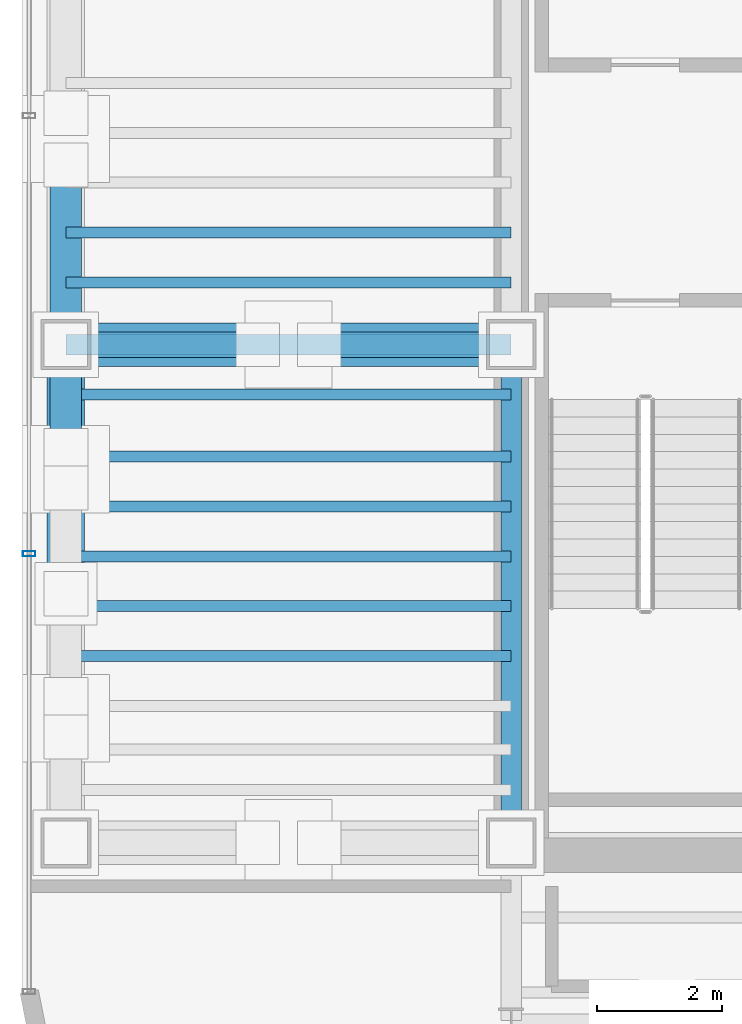
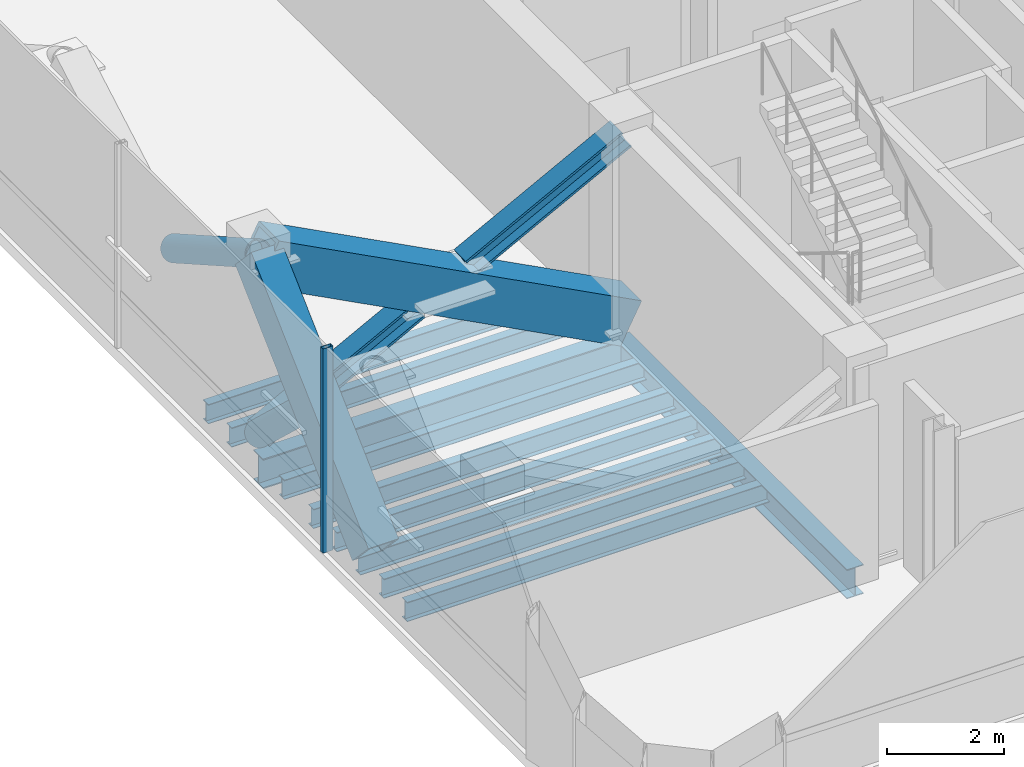
# One storey, part 4 of 19: 10 beams, 7 members, 1 element without a shape of its own.
"""IFC4 building model written with IfcOpenShell, lengths in metres."""

from ifc_helpers import new_model, si_unit, direction, frame, origin, origin_2d, place, context, subcontext, project, spatial, hollow_rectangle, hollow_circle, i_section, extrude, source, transform, mapped, material, material_profile, profile_set, type_object, element, aggregate, save


model = new_model("IFC4")

# Units and contexts
model_context = context("Model", 3, precision=1e-05, world=origin(), true_north=direction((0.0, 1.0)))
body_context = subcontext(model_context, "Body", "Model", "MODEL_VIEW")
ifc_project = project(units=[si_unit("LENGTHUNIT", "METRE"), si_unit("AREAUNIT", "SQUARE_METRE"), si_unit("VOLUMEUNIT", "CUBIC_METRE"), si_unit("PLANEANGLEUNIT", "RADIAN"), si_unit("MASSUNIT", "GRAM", prefix="KILO")], contexts=[model_context])

# Site, building, storey
site_placement = place(None, origin())
site = spatial("IfcSite", under=ifc_project, at=site_placement, CompositionType="ELEMENT")
building_placement = place(site_placement, origin())
building = spatial("IfcBuilding", under=site, at=building_placement, Name="Valdorenza Pilgrim Sanctuary Tower", CompositionType="ELEMENT")
storey_placement = place(building_placement, frame((0.0, 0.0, 261.5)))
storey = spatial("IfcBuildingStorey", under=building, at=storey_placement, Name="L68", CompositionType="ELEMENT", Elevation=261.5)

# Beams
ifc_material_1 = material(Name="Steel ASTM A992 Grade 50", Category="steel")
ifc_material_profile_1 = material_profile(ifc_material_1, i_section(OverallWidth=0.323974609375, OverallDepth=0.611083984375, WebThickness=0.0126953125, FlangeThickness=0.01904296875, at=origin_2d()), Name="W24X104")
ifc_profile_set_1 = profile_set([ifc_material_profile_1], Name="Steel ASTM A992 Grade 50")
beam_type_1 = type_object("IfcBeamType", Name="STR-BM-GRD-W24B", PredefinedType="BEAM", material=ifc_profile_set_1)
shared_shape_1 = source(origin(), body_context, "Body", "SweptSolid", [
    extrude(i_section(OverallWidth=0.323974609375, OverallDepth=0.611083984375, WebThickness=0.0126953125, FlangeThickness=0.01904296875, at=origin_2d()), origin(), (0.0, 0.0, 1.0), 8.0),
])
beam_1_placement = place(storey_placement, frame((-22.64990234375, -10.60009765625, -0.54541015625), z_axis=(0.0, 1.0, 0.0), x_axis=(-1.0, 0.0, 0.0)))
element("IfcBeam", 1, at=beam_1_placement, inside=storey, type_object=beam_type_1, Name="L68 Core Tie Girder CA-W-S1M0", PredefinedType="BEAM", context=body_context, shape_type="MappedRepresentation", body=[
    mapped(shared_shape_1, transform((0.0, 0.0, 0.0), x_axis=(1.0, 0.0, 0.0), y_axis=(0.0, 1.0, 0.0), z_axis=(0.0, 0.0, 1.0), scale=1.0)),
])
ifc_material_profile_2 = material_profile(ifc_material_1, i_section(OverallWidth=0.177978515625, OverallDepth=0.406005859375, WebThickness=0.0078125, FlangeThickness=0.0126953125, at=origin_2d()), Name="W16X40")
ifc_profile_set_2 = profile_set([ifc_material_profile_2], Name="Steel ASTM A992 Grade 50")
beam_type_2 = type_object("IfcBeamType", Name="STR-BM-JST-W16", PredefinedType="JOIST", material=ifc_profile_set_2)
shared_shape_2 = source(origin(), body_context, "Body", "SweptSolid", [
    extrude(i_section(OverallWidth=0.177978515625, OverallDepth=0.406005859375, WebThickness=0.0078125, FlangeThickness=0.0126953125, at=origin_2d()), origin(), (0.0, 0.0, 1.0), 7.150146484375),
])
for number, where, z_axis, x_axis, name in (
    (2, (-29.800048828125, -7.60009765625, -0.443115234375), (1.0, 0.0, 0.0), (0.0, 1.0, 0.0), "L68 Composite Floor Joist JST-WA-4"),
    (3, (-29.800048828125, -6.800048828125, -0.443115234375), (1.0, 0.0, 0.0), (0.0, 1.0, 0.0), "L68 Composite Floor Joist JST-WA-5"),
    (4, (-29.800048828125, -6.0, -0.443115234375), (1.0, 0.0, 0.0), (0.0, 1.0, 0.0), "L68 Composite Floor Joist JST-WA-6"),
    (5, (-29.800048828125, -5.199951171875, -0.443115234375), (1.0, 0.0, 0.0), (0.0, 1.0, 0.0), "L68 Composite Floor Joist JST-WA-7"),
    (6, (-29.800048828125, -4.39990234375, -0.443115234375), (1.0, 0.0, 0.0), (0.0, 1.0, 0.0), "L68 Composite Floor Joist JST-WA-8"),
    (7, (-29.800048828125, -3.39990234375, -0.443115234375), (1.0, 0.0, 0.0), (0.0, 1.0, 0.0), "L68 Composite Floor Joist JST-WA-9"),
    (8, (-29.800048828125, -1.60009765625, -0.443115234375), (1.0, 0.0, 0.0), (0.0, 1.0, 0.0), "L68 Composite Floor Joist JST-WA-10"),
    (9, (-29.800048828125, -0.800048828125, -0.443115234375), (1.0, 0.0, 0.0), (0.0, 1.0, 0.0), "L68 Composite Floor Joist JST-WA-11"),
):
    element("IfcBeam", number, at=place(storey_placement, frame(where, z_axis=z_axis, x_axis=x_axis)), inside=storey, type_object=beam_type_2, Name=name, PredefinedType="JOIST", context=body_context, shape_type="MappedRepresentation", body=[
        mapped(shared_shape_2, transform((0.0, 0.0, 0.0), x_axis=(1.0, 0.0, 0.0), y_axis=(0.0, 1.0, 0.0), z_axis=(0.0, 0.0, 1.0), scale=1.0)),
    ])
ifc_material_profile_3 = material_profile(ifc_material_1, i_section(OverallWidth=0.326904296875, OverallDepth=0.6220703125, WebThickness=0.015380859375, FlangeThickness=0.0244140625, at=origin_2d()), Name="W24X131")
ifc_profile_set_3 = profile_set([ifc_material_profile_3], Name="Steel ASTM A992 Grade 50")
beam_type_3 = type_object("IfcBeamType", Name="STR-BM-GRD-W24A", PredefinedType="BEAM", material=ifc_profile_set_3)
shared_shape_3 = source(origin(), body_context, "Body", "SweptSolid", [
    extrude(i_section(OverallWidth=0.326904296875, OverallDepth=0.6220703125, WebThickness=0.015380859375, FlangeThickness=0.0244140625, at=origin_2d()), origin(), (0.0, 0.0, 1.0), 7.150146484375),
])
beam_2_placement = place(storey_placement, frame((-29.800048828125, -2.60009765625, -0.551025390625), z_axis=(1.0, 0.0, 0.0), x_axis=(0.0, 1.0, 0.0)))
element("IfcBeam", 10, at=beam_2_placement, inside=storey, type_object=beam_type_3, Name="L68 Floor Girder WA-XW-M0", PredefinedType="BEAM", context=body_context, shape_type="MappedRepresentation", body=[
    mapped(shared_shape_3, transform((0.0, 0.0, 0.0), x_axis=(1.0, 0.0, 0.0), y_axis=(0.0, 1.0, 0.0), z_axis=(0.0, 0.0, 1.0), scale=1.0)),
])

# Members
ifc_material_2 = material(Name="Steel ASTM A572 Grade 42", Category="steel")
ifc_material_profile_4 = material_profile(ifc_material_2, hollow_rectangle(XDim=0.699951171875, YDim=0.89990234375, WallThickness=0.070068359375, at=origin_2d()), Name="BOX 900x700x70")
ifc_profile_set_4 = profile_set([ifc_material_profile_4], Name="Steel ASTM A572 Grade 42")
member_type_1 = type_object("IfcMemberType", Name="STR-MB-OUT-BOX900", PredefinedType="BRACE", material=ifc_profile_set_4)
shared_shape_4 = source(origin(), body_context, "Body", "SweptSolid", [
    extrude(hollow_rectangle(XDim=0.699951171875, YDim=0.89990234375, WallThickness=0.070068359375, at=origin_2d()), origin(), (0.0, 0.0, 1.0), 8.07373046875),
])
member_1_placement = place(storey_placement, frame((-22.64990234375, -2.60009765625, 0.199951171875), z_axis=(-0.885592900523, 0.0, 0.464462285384), x_axis=(0.0, -1.0, 0.0)))
element("IfcMember", 11, at=member_1_placement, inside=storey, type_object=member_type_1, Name="L68 Outrigger Truss Diagonal WA2A", PredefinedType="BRACE", context=body_context, shape_type="MappedRepresentation", body=[
    mapped(shared_shape_4, transform((0.0, 0.0, 0.0), x_axis=(1.0, 0.0, 0.0), y_axis=(0.0, 1.0, 0.0), z_axis=(0.0, 0.0, 1.0), scale=1.0)),
])
ifc_material_profile_5 = material_profile(ifc_material_1, i_section(OverallWidth=0.406005859375, OverallDepth=0.416015625, WebThickness=0.02978515625, FlangeThickness=0.048095703125, at=origin_2d()), Name="W14X257")
ifc_profile_set_5 = profile_set([ifc_material_profile_5], Name="Steel ASTM A992 Grade 50")
member_type_2 = type_object("IfcMemberType", Name="STR-MB-OUT-W257", PredefinedType="BRACE", material=ifc_profile_set_5)
shared_shape_5 = source(origin(), body_context, "Body", "SweptSolid", [
    extrude(i_section(OverallWidth=0.406005859375, OverallDepth=0.416015625, WebThickness=0.02978515625, FlangeThickness=0.048095703125, at=origin_2d()), origin(), (0.0, 0.0, 1.0), 3.47802734375),
])
for number, where, z_axis, x_axis, name in (
    (12, (-22.64990234375, -2.60009765625, 3.949951171875), (-0.885611600289, 0.0, -0.464426628687), (0.0, -1.0, 0.0), "L68 Outrigger Truss Counter-Diagonal WA2B Lower Segment"),
    (13, (-26.719970703125, -2.60009765625, 1.8154296875), (-0.885582727176, 0.0, -0.464481682445), (0.0, -1.0, 0.0), "L68 Outrigger Truss Counter-Diagonal WA2B Upper Segment"),
):
    element("IfcMember", number, at=place(storey_placement, frame(where, z_axis=z_axis, x_axis=x_axis)), inside=storey, type_object=member_type_2, Name=name, PredefinedType="BRACE", context=body_context, shape_type="MappedRepresentation", body=[
        mapped(shared_shape_5, transform((0.0, 0.0, 0.0), x_axis=(1.0, 0.0, 0.0), y_axis=(0.0, 1.0, 0.0), z_axis=(0.0, 0.0, 1.0), scale=1.0)),
    ])
ifc_material_profile_6 = material_profile(ifc_material_2, hollow_rectangle(XDim=0.60009765625, YDim=0.800048828125, WallThickness=0.06005859375, at=origin_2d()), Name="BOX 800x600x60")
ifc_profile_set_6 = profile_set([ifc_material_profile_6], Name="Steel ASTM A572 Grade 42")
member_type_3 = type_object("IfcMemberType", Name="STR-MB-BLT-BOX800", PredefinedType="BRACE", material=ifc_profile_set_6)
shared_shape_6 = source(origin(), body_context, "Body", "SweptSolid", [
    extrude(hollow_rectangle(XDim=0.60009765625, YDim=0.800048828125, WallThickness=0.06005859375, at=origin_2d()), origin(), (0.0, 0.0, 1.0), 5.48291015625),
])
member_2_placement = place(storey_placement, frame((-29.800048828125, -6.60009765625, 0.199951171875), z_axis=(0.0, 0.72953720414, 0.683941128881), x_axis=(-1.0, 0.0, 0.0)))
element("IfcMember", 14, at=member_2_placement, inside=storey, type_object=member_type_3, Name="L68 Perimeter Belt Truss Diagonal W2", PredefinedType="BRACE", context=body_context, shape_type="MappedRepresentation", body=[
    mapped(shared_shape_6, transform((0.0, 0.0, 0.0), x_axis=(1.0, 0.0, 0.0), y_axis=(0.0, 1.0, 0.0), z_axis=(0.0, 0.0, 1.0), scale=1.0)),
])
ifc_material_3 = material(Name="Steel S355J2", Category="steel")
ifc_material_profile_7 = material_profile(ifc_material_3, hollow_circle(Radius=0.25390625, WallThickness=0.02001953125, at=origin_2d()), Name="CHS 508x20")
ifc_profile_set_7 = profile_set([ifc_material_profile_7], Name="Steel S355J2")
member_type_4 = type_object("IfcMemberType", Name="STR-MB-CHS-508", PredefinedType="STRUT", material=ifc_profile_set_7)
shared_shape_7 = source(origin(), body_context, "Body", "SweptSolid", [
    extrude(hollow_circle(Radius=0.25390625, WallThickness=0.02001953125, at=origin_2d()), origin(), (0.0, 0.0, 1.0), 2.32861328125),
])
member_3_placement = place(storey_placement, frame((-29.800048828125, -4.298828125, 1.792724609375), z_axis=(0.0, 0.729491429442, -0.683989951952), x_axis=(-1.0, 0.0, 0.0)))
element("IfcMember", 15, at=member_3_placement, inside=storey, type_object=member_type_4, Name="L68 Perimeter Counter-Belt Strut CW2 Upper Segment", PredefinedType="STRUT", context=body_context, shape_type="MappedRepresentation", body=[
    mapped(shared_shape_7, transform((0.0, 0.0, 0.0), x_axis=(1.0, 0.0, 0.0), y_axis=(0.0, 1.0, 0.0), z_axis=(0.0, 0.0, 1.0), scale=1.0)),
])
shared_shape_8 = source(origin(), body_context, "Body", "SweptSolid", [
    extrude(hollow_circle(Radius=0.25390625, WallThickness=0.02001953125, at=origin_2d()), origin(), (0.0, 0.0, 1.0), 3.31787109375),
])
member_4_placement = place(storey_placement, frame((-29.800048828125, -2.60009765625, 3.949951171875), z_axis=(0.0, 0.869445064457, -0.494029634628), x_axis=(-1.0, 0.0, 0.0)))
element("IfcMember", 16, at=member_4_placement, inside=storey, type_object=member_type_4, Name="L68 Perimeter Counter-Belt Strut CW3 Lower Segment", PredefinedType="STRUT", context=body_context, shape_type="MappedRepresentation", body=[
    mapped(shared_shape_8, transform((0.0, 0.0, 0.0), x_axis=(1.0, 0.0, 0.0), y_axis=(0.0, 1.0, 0.0), z_axis=(0.0, 0.0, 1.0), scale=1.0)),
])

# Curtain wall, member
ifc_material_4 = material(Name="Curtain-wall IGU glazing", Category="glass")
curtain_wall_type = type_object("IfcCurtainWallType", Name="CW-SYS-02", PredefinedType="NOTDEFINED", material=ifc_material_4)
curtain_wall_placement = place(storey_placement, origin())
curtain_wall = element("IfcCurtainWall", 17, at=curtain_wall_placement, inside=storey, type_object=curtain_wall_type, Name="L68 Curtain Wall CW-L68-1-1", PredefinedType="NOTDEFINED")
ifc_material_5 = material(Name="Anodised aluminium AW-6060", Category="aluminium")
ifc_material_profile_8 = material_profile(ifc_material_5, hollow_rectangle(XDim=0.0849609375, YDim=0.199951171875, WallThickness=0.0048828125, at=origin_2d()), Name="ALU-M 200x85x5")
ifc_profile_set_8 = profile_set([ifc_material_profile_8], Name="Anodised aluminium AW-6060")
member_type_5 = type_object("IfcMemberType", Name="CW-MUL-02", PredefinedType="MULLION", material=ifc_profile_set_8)
shared_shape_9 = source(origin(), body_context, "Body", "SweptSolid", [
    extrude(hollow_rectangle(XDim=0.0849609375, YDim=0.199951171875, WallThickness=0.0048828125, at=origin_2d()), origin(), (0.0, 0.0, 1.0), 4.260009765625),
])
member_5_placement = place(storey_placement, frame((-30.389892578125, -5.957763671875, 0.0), z_axis=(0.0, 0.0, 1.0), x_axis=(0.0, 1.0, 0.0)))
member_5 = element("IfcMember", 18, at=member_5_placement, type_object=member_type_5, Name="CW-L68-1-1 Mullion 2", PredefinedType="MULLION", context=body_context, shape_type="MappedRepresentation", body=[
    mapped(shared_shape_9, transform((0.0, 0.0, 0.0), x_axis=(1.0, 0.0, 0.0), y_axis=(0.0, 1.0, 0.0), z_axis=(0.0, 0.0, 1.0), scale=1.0)),
])
aggregate(curtain_wall, [member_5])

save(model, "model.ifc")
